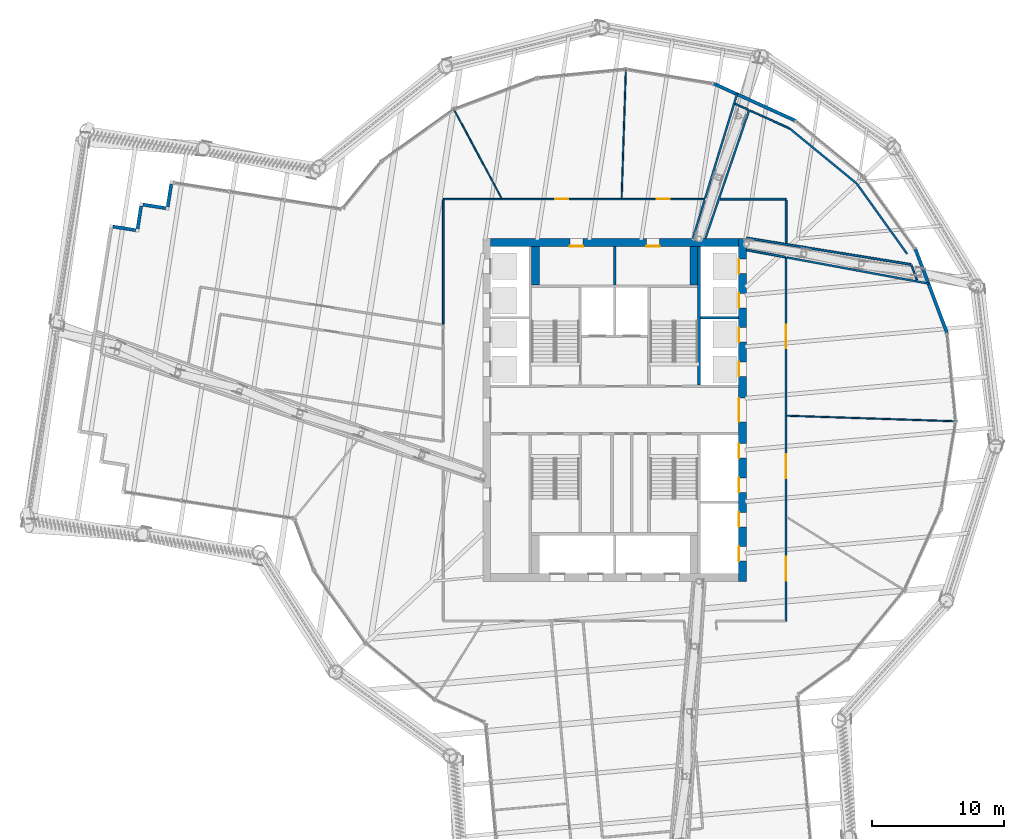
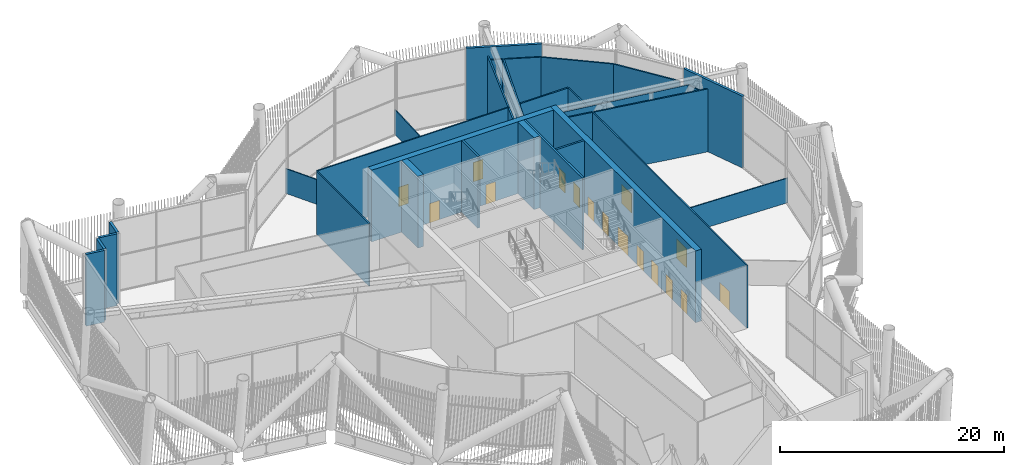
# One storey, part 32 of 55: 32 walls, 16 doors, 16 openings.
"""IFC4 building model written with IfcOpenShell, lengths in metres."""

from ifc_helpers import new_model, si_unit, direction, frame, frame_2d, origin, place, context, subcontext, project, spatial, rectangle, extrude, material, layer, layer_set, type_object, element, fill, save


model = new_model("IFC4")

# Units and contexts
model_context = context("Model", 3, precision=1e-05, world=origin(), true_north=direction((0.0, 1.0)))
body_context = subcontext(model_context, "Body", "Model", "MODEL_VIEW")
ifc_project = project(units=[si_unit("LENGTHUNIT", "METRE"), si_unit("AREAUNIT", "SQUARE_METRE"), si_unit("VOLUMEUNIT", "CUBIC_METRE"), si_unit("PLANEANGLEUNIT", "RADIAN"), si_unit("MASSUNIT", "GRAM", prefix="KILO")], contexts=[model_context])

# Site, building, storey
site_placement = place(None, origin())
site = spatial("IfcSite", under=ifc_project, at=site_placement, CompositionType="ELEMENT")
building_placement = place(site_placement, origin())
building = spatial("IfcBuilding", under=site, at=building_placement, Name="Tarsis Ring Headquarters", CompositionType="ELEMENT")
storey_placement = place(building_placement, frame((0.0, 0.0, 247.199951171875)))
storey = spatial("IfcBuildingStorey", under=building, at=storey_placement, Name="L58", CompositionType="ELEMENT", Elevation=247.199951171875)

# Wall
ifc_material_1 = material(Name="Blockwork", Category="masonry")
ifc_layer_1 = layer(ifc_material_1, 0.199951171875)
ifc_layer_set_1 = layer_set([ifc_layer_1], Name="Core blockwork wall 200")
wall_type_1 = type_object("IfcWallType", Name="Core blockwork wall 200", PredefinedType="PARTITIONING", material=ifc_layer_set_1)
wall_1_placement = place(storey_placement, frame((0.0, 9.5, 0.0), z_axis=(0.0, 0.0, 1.0), x_axis=(0.0, 1.0, 0.0)))
element("IfcWall", 1, at=wall_1_placement, inside=storey, type_object=wall_type_1, Name="Core partition ND2", PredefinedType="PARTITIONING", context=body_context, shape_type="SweptSolid", body=[
    extrude(rectangle(XDim=2.89990234375, YDim=0.199951171875, at=frame_2d((1.449951171875, 0.0))), origin(), (0.0, 0.0, 1.0), 7.840087890625),
])

# Wall, openings, doors
ifc_material_2 = material(Name="Concrete C50/60", Category="concrete")
ifc_layer_2 = layer(ifc_material_2, 0.60009765625)
ifc_layer_set_2 = layer_set([ifc_layer_2], Name="Core wall 600 C50/60")
wall_type_2 = type_object("IfcWallType", Name="Core wall 600 C50/60", PredefinedType="SHEAR", material=ifc_layer_set_2)
wall_2_placement = place(storey_placement, frame((9.699951171875, -13.0, 0.0), z_axis=(0.0, 0.0, 1.0), x_axis=(0.0, 1.0, 0.0)))
wall_2 = element("IfcWall", 2, at=wall_2_placement, inside=storey, type_object=wall_type_2, Name="Core wall OE", PredefinedType="SHEAR", context=body_context, shape_type="SweptSolid", body=[
    extrude(rectangle(XDim=26.0, YDim=0.60009765625, at=frame_2d((13.0, 0.0))), origin(), (0.0, 0.0, 1.0), 7.840087890625),
])
opening_1_placement = place(wall_2_placement, frame((1.550048828125, 0.0, 0.0)))
opening_1 = element("IfcOpeningElement", 3, at=opening_1_placement, cuts=wall_2, Name="Opening LD-MR1", PredefinedType="OPENING", context=body_context, shape_type="SweptSolid", body=[
    extrude(rectangle(XDim=1.10009765625, YDim=2.10009765625, at=frame_2d((0.550048828125, 1.050048828125))), frame((0.0, 0.31005859375, 0.0), z_axis=(0.0, -1.0, 0.0), x_axis=(1.0, 0.0, 0.0)), (0.0, 0.0, 1.0), 0.6201171875),
])
opening_2_placement = place(wall_2_placement, frame((4.14990234375, 0.0, 0.0)))
opening_2 = element("IfcOpeningElement", 4, at=opening_2_placement, cuts=wall_2, Name="Opening LD-MR2", PredefinedType="OPENING", context=body_context, shape_type="SweptSolid", body=[
    extrude(rectangle(XDim=1.10009765625, YDim=2.10009765625, at=frame_2d((0.550048828125, 1.050048828125))), frame((0.0, 0.31005859375, 0.0), z_axis=(0.0, -1.0, 0.0), x_axis=(1.0, 0.0, 0.0)), (0.0, 0.0, 1.0), 0.6201171875),
])
opening_3_placement = place(wall_2_placement, frame((6.75, 0.0, 0.0)))
opening_3 = element("IfcOpeningElement", 5, at=opening_3_placement, cuts=wall_2, Name="Opening LD-MR3", PredefinedType="OPENING", context=body_context, shape_type="SweptSolid", body=[
    extrude(rectangle(XDim=1.10009765625, YDim=2.10009765625, at=frame_2d((0.550048828125, 1.050048828125))), frame((0.0, 0.31005859375, 0.0), z_axis=(0.0, -1.0, 0.0), x_axis=(1.0, 0.0, 0.0)), (0.0, 0.0, 1.0), 0.6201171875),
])
opening_4_placement = place(wall_2_placement, frame((9.35009765625, 0.0, 0.0)))
opening_4 = element("IfcOpeningElement", 6, at=opening_4_placement, cuts=wall_2, Name="Opening LD-MR4", PredefinedType="OPENING", context=body_context, shape_type="SweptSolid", body=[
    extrude(rectangle(XDim=1.10009765625, YDim=2.10009765625, at=frame_2d((0.550048828125, 1.050048828125))), frame((0.0, 0.31005859375, 0.0), z_axis=(0.0, -1.0, 0.0), x_axis=(1.0, 0.0, 0.0)), (0.0, 0.0, 1.0), 0.6201171875),
])
opening_5_placement = place(wall_2_placement, frame((12.10009765625, 0.0, 0.0)))
opening_5 = element("IfcOpeningElement", 7, at=opening_5_placement, cuts=wall_2, Name="Opening L58-C11", PredefinedType="OPENING", context=body_context, shape_type="SweptSolid", body=[
    extrude(rectangle(XDim=1.800048828125, YDim=2.10009765625, at=frame_2d((0.89990234375, 1.050048828125))), frame((0.0, 0.31005859375, 0.0), z_axis=(0.0, -1.0, 0.0), x_axis=(1.0, 0.0, 0.0)), (0.0, 0.0, 1.0), 0.6201171875),
])
opening_6_placement = place(wall_2_placement, frame((15.550048828125, 0.0, 0.0)))
opening_6 = element("IfcOpeningElement", 8, at=opening_6_placement, cuts=wall_2, Name="Opening LD-HR5", PredefinedType="OPENING", context=body_context, shape_type="SweptSolid", body=[
    extrude(rectangle(XDim=1.10009765625, YDim=2.10009765625, at=frame_2d((0.550048828125, 1.050048828125))), frame((0.0, 0.31005859375, 0.0), z_axis=(0.0, -1.0, 0.0), x_axis=(1.0, 0.0, 0.0)), (0.0, 0.0, 1.0), 0.6201171875),
])
opening_7_placement = place(wall_2_placement, frame((18.14990234375, 0.0, 0.0)))
opening_7 = element("IfcOpeningElement", 9, at=opening_7_placement, cuts=wall_2, Name="Opening LD-HR6", PredefinedType="OPENING", context=body_context, shape_type="SweptSolid", body=[
    extrude(rectangle(XDim=1.10009765625, YDim=2.10009765625, at=frame_2d((0.550048828125, 1.050048828125))), frame((0.0, 0.31005859375, 0.0), z_axis=(0.0, -1.0, 0.0), x_axis=(1.0, 0.0, 0.0)), (0.0, 0.0, 1.0), 0.6201171875),
])
opening_8_placement = place(wall_2_placement, frame((20.75, 0.0, 0.0)))
opening_8 = element("IfcOpeningElement", 10, at=opening_8_placement, cuts=wall_2, Name="Opening LD-HR7", PredefinedType="OPENING", context=body_context, shape_type="SweptSolid", body=[
    extrude(rectangle(XDim=1.10009765625, YDim=2.10009765625, at=frame_2d((0.550048828125, 1.050048828125))), frame((0.0, 0.31005859375, 0.0), z_axis=(0.0, -1.0, 0.0), x_axis=(1.0, 0.0, 0.0)), (0.0, 0.0, 1.0), 0.6201171875),
])
opening_9_placement = place(wall_2_placement, frame((23.35009765625, 0.0, 0.0)))
opening_9 = element("IfcOpeningElement", 11, at=opening_9_placement, cuts=wall_2, Name="Opening LD-HR8", PredefinedType="OPENING", context=body_context, shape_type="SweptSolid", body=[
    extrude(rectangle(XDim=1.10009765625, YDim=2.10009765625, at=frame_2d((0.550048828125, 1.050048828125))), frame((0.0, 0.31005859375, 0.0), z_axis=(0.0, -1.0, 0.0), x_axis=(1.0, 0.0, 0.0)), (0.0, 0.0, 1.0), 0.6201171875),
])
ifc_material_3 = material(Name="Steel S355", Category="steel")
door_type_1 = type_object("IfcDoorType", Name="Core entry door 1800x2100", OperationType="DOUBLE_DOOR_SINGLE_SWING", PredefinedType="DOOR", material=ifc_material_3)
door_1_placement = place(opening_5_placement, origin())
door_1 = element("IfcDoor", 12, at=door_1_placement, inside=storey, type_object=door_type_1, Name="Core entry door L58", OperationType="DOUBLE_DOOR_SINGLE_SWING", OverallHeight=2.10009765625, OverallWidth=1.800048828125, PredefinedType="DOOR", context=body_context, shape_type="SweptSolid", body=[
    extrude(rectangle(XDim=1.800048828125, YDim=2.10009765625, at=frame_2d((0.89990234375, 1.050048828125))), frame((0.0, 0.2998046875, 0.0), z_axis=(0.0, -1.0, 0.0), x_axis=(1.0, 0.0, 0.0)), (0.0, 0.0, 1.0), 0.050048828125),
])
fill(opening_5, door_1)
door_type_2 = type_object("IfcDoorType", Name="Landing door 1100x2100", OperationType="SLIDING_TO_LEFT", PredefinedType="DOOR", material=ifc_material_3)
door_2_placement = place(opening_1_placement, origin())
door_2 = element("IfcDoor", 13, at=door_2_placement, inside=storey, type_object=door_type_2, Name="Landing door MR1 L58", OperationType="SLIDING_TO_LEFT", OverallHeight=2.10009765625, OverallWidth=1.10009765625, PredefinedType="DOOR", context=body_context, shape_type="SweptSolid", body=[
    extrude(rectangle(XDim=1.10009765625, YDim=2.10009765625, at=frame_2d((0.550048828125, 1.050048828125))), frame((0.0, 0.2998046875, 0.0), z_axis=(0.0, -1.0, 0.0), x_axis=(1.0, 0.0, 0.0)), (0.0, 0.0, 1.0), 0.050048828125),
])
fill(opening_1, door_2)
door_3_placement = place(opening_2_placement, origin())
door_3 = element("IfcDoor", 14, at=door_3_placement, inside=storey, type_object=door_type_2, Name="Landing door MR2 L58", OperationType="SLIDING_TO_LEFT", OverallHeight=2.10009765625, OverallWidth=1.10009765625, PredefinedType="DOOR", context=body_context, shape_type="SweptSolid", body=[
    extrude(rectangle(XDim=1.10009765625, YDim=2.10009765625, at=frame_2d((0.550048828125, 1.050048828125))), frame((0.0, 0.2998046875, 0.0), z_axis=(0.0, -1.0, 0.0), x_axis=(1.0, 0.0, 0.0)), (0.0, 0.0, 1.0), 0.050048828125),
])
fill(opening_2, door_3)
door_4_placement = place(opening_3_placement, origin())
door_4 = element("IfcDoor", 15, at=door_4_placement, inside=storey, type_object=door_type_2, Name="Landing door MR3 L58", OperationType="SLIDING_TO_LEFT", OverallHeight=2.10009765625, OverallWidth=1.10009765625, PredefinedType="DOOR", context=body_context, shape_type="SweptSolid", body=[
    extrude(rectangle(XDim=1.10009765625, YDim=2.10009765625, at=frame_2d((0.550048828125, 1.050048828125))), frame((0.0, 0.2998046875, 0.0), z_axis=(0.0, -1.0, 0.0), x_axis=(1.0, 0.0, 0.0)), (0.0, 0.0, 1.0), 0.050048828125),
])
fill(opening_3, door_4)
door_5_placement = place(opening_4_placement, origin())
door_5 = element("IfcDoor", 16, at=door_5_placement, inside=storey, type_object=door_type_2, Name="Landing door MR4 L58", OperationType="SLIDING_TO_LEFT", OverallHeight=2.10009765625, OverallWidth=1.10009765625, PredefinedType="DOOR", context=body_context, shape_type="SweptSolid", body=[
    extrude(rectangle(XDim=1.10009765625, YDim=2.10009765625, at=frame_2d((0.550048828125, 1.050048828125))), frame((0.0, 0.2998046875, 0.0), z_axis=(0.0, -1.0, 0.0), x_axis=(1.0, 0.0, 0.0)), (0.0, 0.0, 1.0), 0.050048828125),
])
fill(opening_4, door_5)
door_6_placement = place(opening_6_placement, origin())
door_6 = element("IfcDoor", 17, at=door_6_placement, inside=storey, type_object=door_type_2, Name="Landing door HR5 L58", OperationType="SLIDING_TO_LEFT", OverallHeight=2.10009765625, OverallWidth=1.10009765625, PredefinedType="DOOR", context=body_context, shape_type="SweptSolid", body=[
    extrude(rectangle(XDim=1.10009765625, YDim=2.10009765625, at=frame_2d((0.550048828125, 1.050048828125))), frame((0.0, 0.2998046875, 0.0), z_axis=(0.0, -1.0, 0.0), x_axis=(1.0, 0.0, 0.0)), (0.0, 0.0, 1.0), 0.050048828125),
])
fill(opening_6, door_6)
door_7_placement = place(opening_7_placement, origin())
door_7 = element("IfcDoor", 18, at=door_7_placement, inside=storey, type_object=door_type_2, Name="Landing door HR6 L58", OperationType="SLIDING_TO_LEFT", OverallHeight=2.10009765625, OverallWidth=1.10009765625, PredefinedType="DOOR", context=body_context, shape_type="SweptSolid", body=[
    extrude(rectangle(XDim=1.10009765625, YDim=2.10009765625, at=frame_2d((0.550048828125, 1.050048828125))), frame((0.0, 0.2998046875, 0.0), z_axis=(0.0, -1.0, 0.0), x_axis=(1.0, 0.0, 0.0)), (0.0, 0.0, 1.0), 0.050048828125),
])
fill(opening_7, door_7)
door_8_placement = place(opening_8_placement, origin())
door_8 = element("IfcDoor", 19, at=door_8_placement, inside=storey, type_object=door_type_2, Name="Landing door HR7 L58", OperationType="SLIDING_TO_LEFT", OverallHeight=2.10009765625, OverallWidth=1.10009765625, PredefinedType="DOOR", context=body_context, shape_type="SweptSolid", body=[
    extrude(rectangle(XDim=1.10009765625, YDim=2.10009765625, at=frame_2d((0.550048828125, 1.050048828125))), frame((0.0, 0.2998046875, 0.0), z_axis=(0.0, -1.0, 0.0), x_axis=(1.0, 0.0, 0.0)), (0.0, 0.0, 1.0), 0.050048828125),
])
fill(opening_8, door_8)
door_9_placement = place(opening_9_placement, origin())
door_9 = element("IfcDoor", 20, at=door_9_placement, inside=storey, type_object=door_type_2, Name="Landing door HR8 L58", OperationType="SLIDING_TO_LEFT", OverallHeight=2.10009765625, OverallWidth=1.10009765625, PredefinedType="DOOR", context=body_context, shape_type="SweptSolid", body=[
    extrude(rectangle(XDim=1.10009765625, YDim=2.10009765625, at=frame_2d((0.550048828125, 1.050048828125))), frame((0.0, 0.2998046875, 0.0), z_axis=(0.0, -1.0, 0.0), x_axis=(1.0, 0.0, 0.0)), (0.0, 0.0, 1.0), 0.050048828125),
])
fill(opening_9, door_9)

wall_3_placement = place(storey_placement, frame((-9.39990234375, 12.699951171875, 0.0), z_axis=(0.0, 0.0, 1.0), x_axis=(1.0, 0.0, 0.0)))
wall_3 = element("IfcWall", 21, at=wall_3_placement, inside=storey, type_object=wall_type_2, Name="Core wall ON", PredefinedType="SHEAR", context=body_context, shape_type="SweptSolid", body=[
    extrude(rectangle(XDim=18.7998046875, YDim=0.60009765625, at=frame_2d((9.39990234375, 0.0))), origin(), (0.0, 0.0, 1.0), 7.840087890625),
])
opening_10_placement = place(wall_3_placement, frame((6.0, 0.0, 0.0)))
opening_10 = element("IfcOpeningElement", 22, at=opening_10_placement, cuts=wall_3, Name="Opening L58-C16", PredefinedType="OPENING", context=body_context, shape_type="SweptSolid", body=[
    extrude(rectangle(XDim=1.0, YDim=2.10009765625, at=frame_2d((0.5, 1.050048828125))), frame((0.0, 0.31005859375, 0.0), z_axis=(0.0, -1.0, 0.0), x_axis=(1.0, 0.0, 0.0)), (0.0, 0.0, 1.0), 0.6201171875),
])
opening_11_placement = place(wall_3_placement, frame((11.800048828125, 0.0, 0.0)))
opening_11 = element("IfcOpeningElement", 23, at=opening_11_placement, cuts=wall_3, Name="Opening L58-C17", PredefinedType="OPENING", context=body_context, shape_type="SweptSolid", body=[
    extrude(rectangle(XDim=1.0, YDim=2.10009765625, at=frame_2d((0.5, 1.050048828125))), frame((0.0, 0.31005859375, 0.0), z_axis=(0.0, -1.0, 0.0), x_axis=(1.0, 0.0, 0.0)), (0.0, 0.0, 1.0), 0.6201171875),
])
door_type_3 = type_object("IfcDoorType", Name="Core room door 1000x2100", OperationType="SINGLE_SWING_LEFT", PredefinedType="DOOR", material=ifc_material_3)
door_10_placement = place(opening_10_placement, origin())
door_10 = element("IfcDoor", 24, at=door_10_placement, inside=storey, type_object=door_type_3, Name="Core room door L58", OperationType="SINGLE_SWING_LEFT", OverallHeight=2.10009765625, OverallWidth=1.0, PredefinedType="DOOR", context=body_context, shape_type="SweptSolid", body=[
    extrude(rectangle(XDim=1.0, YDim=2.10009765625, at=frame_2d((0.5, 1.050048828125))), frame((0.0, -0.25, 0.0), z_axis=(0.0, -1.0, 0.0), x_axis=(1.0, 0.0, 0.0)), (0.0, 0.0, 1.0), 0.050048828125),
])
fill(opening_10, door_10)
door_11_placement = place(opening_11_placement, origin())
door_11 = element("IfcDoor", 25, at=door_11_placement, inside=storey, type_object=door_type_3, Name="Core room door L58", OperationType="SINGLE_SWING_LEFT", OverallHeight=2.10009765625, OverallWidth=1.0, PredefinedType="DOOR", context=body_context, shape_type="SweptSolid", body=[
    extrude(rectangle(XDim=1.0, YDim=2.10009765625, at=frame_2d((0.5, 1.050048828125))), frame((0.0, -0.25, 0.0), z_axis=(0.0, -1.0, 0.0), x_axis=(1.0, 0.0, 0.0)), (0.0, 0.0, 1.0), 0.050048828125),
])
fill(opening_11, door_11)

# Walls
ifc_material_4 = material(Name="Gypsum board on steel studs", Category="steel")
ifc_layer_3 = layer(ifc_material_4, 0.10009765625)
ifc_layer_set_3 = layer_set([ifc_layer_3], Name="FL partition 100 unrated")
wall_type_3 = type_object("IfcWallType", Name="FL partition 100 unrated", PredefinedType="PARTITIONING", material=ifc_layer_set_3)
wall_4_placement = place(storey_placement, frame((13.070068359375, -0.428955078125, 0.0), z_axis=(0.0, 0.0, 1.0), x_axis=(0.999461414266, -0.03281587107, 0.0)))
element("IfcWall", 26, at=wall_4_placement, inside=storey, type_object=wall_type_3, Name="Partition PW3", PredefinedType="PARTITIONING", context=body_context, shape_type="SweptSolid", body=[
    extrude(rectangle(XDim=12.87060546875, YDim=0.10009765625, at=frame_2d((6.435302734375, 0.0))), origin(), (0.0, 0.0, 1.0), 2.699951171875),
])
wall_5_placement = place(storey_placement, frame((0.527587890625, 16.070068359375, 0.0), z_axis=(0.0, 0.0, 1.0), x_axis=(0.03280249536, 0.999461853348, 0.0)))
element("IfcWall", 27, at=wall_5_placement, inside=storey, type_object=wall_type_3, Name="Partition PW3", PredefinedType="PARTITIONING", context=body_context, shape_type="SweptSolid", body=[
    extrude(rectangle(XDim=9.869140625, YDim=0.10009765625, at=frame_2d((4.9345703125, 0.0))), origin(), (0.0, 0.0, 1.0), 2.699951171875),
])
wall_6_placement = place(storey_placement, frame((-12.229736328125, 22.885009765625, 0.0), z_axis=(0.0, 0.0, 1.0), x_axis=(0.471322112809, -0.881961147658, 0.0)))
element("IfcWall", 28, at=wall_6_placement, inside=storey, type_object=wall_type_3, Name="Partition PW3", PredefinedType="PARTITIONING", context=body_context, shape_type="SweptSolid", body=[
    extrude(rectangle(XDim=7.716552734375, YDim=0.10009765625, at=frame_2d((3.8583984375, 0.0))), origin(), (0.0, 0.0, 1.0), 2.699951171875),
])

# Wall, openings, doors
ifc_layer_4 = layer(ifc_material_4, 0.125)
ifc_layer_set_4 = layer_set([ifc_layer_4], Name="FL partition 125 EI 60 H6870")
wall_type_4 = type_object("IfcWallType", Name="FL partition 125 EI 60 H6870", PredefinedType="PARTITIONING", material=ifc_layer_set_4)
wall_7_placement = place(storey_placement, frame((13.0, -15.998046875, 0.0), z_axis=(0.0, 0.0, 1.0), x_axis=(0.0, 1.0, 0.0)))
wall_7 = element("IfcWall", 29, at=wall_7_placement, inside=storey, type_object=wall_type_4, Name="Partition PW1H687", PredefinedType="PARTITIONING", context=body_context, shape_type="SweptSolid", body=[
    extrude(rectangle(XDim=27.5859375, YDim=0.125, at=frame_2d((13.79296875, 0.0))), origin(), (0.0, 0.0, 1.0), 6.8701171875),
])
opening_12_placement = place(wall_7_placement, frame((20.678466796875, 0.0, 0.0)))
opening_12 = element("IfcOpeningElement", 30, at=opening_12_placement, cuts=wall_7, Name="Opening D58.07", PredefinedType="OPENING", context=body_context, shape_type="SweptSolid", body=[
    extrude(rectangle(XDim=1.800048828125, YDim=2.10009765625, at=frame_2d((0.89990234375, 1.050048828125))), frame((0.0, 0.072509765625, 0.0), z_axis=(0.0, -1.0, 0.0), x_axis=(1.0, 0.0, 0.0)), (0.0, 0.0, 1.0), 0.14501953125),
])
opening_13_placement = place(wall_7_placement, frame((10.841796875, 0.0, 0.0)))
opening_13 = element("IfcOpeningElement", 31, at=opening_13_placement, cuts=wall_7, Name="Opening D58.08", PredefinedType="OPENING", context=body_context, shape_type="SweptSolid", body=[
    extrude(rectangle(XDim=1.800048828125, YDim=2.10009765625, at=frame_2d((0.89990234375, 1.050048828125))), frame((0.0, 0.072509765625, 0.0), z_axis=(0.0, -1.0, 0.0), x_axis=(1.0, 0.0, 0.0)), (0.0, 0.0, 1.0), 0.14501953125),
])
opening_14_placement = place(wall_7_placement, frame((3.05615234375, 0.0, 0.0)))
opening_14 = element("IfcOpeningElement", 32, at=opening_14_placement, cuts=wall_7, Name="Opening D58.09", PredefinedType="OPENING", context=body_context, shape_type="SweptSolid", body=[
    extrude(rectangle(XDim=1.800048828125, YDim=2.10009765625, at=frame_2d((0.89990234375, 1.050048828125))), frame((0.0, 0.072509765625, 0.0), z_axis=(0.0, -1.0, 0.0), x_axis=(1.0, 0.0, 0.0)), (0.0, 0.0, 1.0), 0.14501953125),
])
ifc_material_5 = material(Name="Fire-rated timber door leaf in steel frame", Category="steel")
door_type_4 = type_object("IfcDoorType", Name="FL door FD60-1800", OperationType="DOUBLE_DOOR_SINGLE_SWING", PredefinedType="DOOR", material=ifc_material_5)
door_12_placement = place(opening_12_placement, origin())
door_12 = element("IfcDoor", 33, at=door_12_placement, inside=storey, type_object=door_type_4, Name="Door D58.07", OperationType="DOUBLE_DOOR_SINGLE_SWING", OverallHeight=2.10009765625, OverallWidth=1.800048828125, PredefinedType="DOOR", context=body_context, shape_type="SweptSolid", body=[
    extrude(rectangle(XDim=1.800048828125, YDim=2.10009765625, at=frame_2d((0.89990234375, 1.050048828125))), frame((0.0, 0.02490234375, 0.0), z_axis=(0.0, -1.0, 0.0), x_axis=(1.0, 0.0, 0.0)), (0.0, 0.0, 1.0), 0.050048828125),
])
fill(opening_12, door_12)
door_13_placement = place(opening_13_placement, origin())
door_13 = element("IfcDoor", 34, at=door_13_placement, inside=storey, type_object=door_type_4, Name="Door D58.08", OperationType="DOUBLE_DOOR_SINGLE_SWING", OverallHeight=2.10009765625, OverallWidth=1.800048828125, PredefinedType="DOOR", context=body_context, shape_type="SweptSolid", body=[
    extrude(rectangle(XDim=1.800048828125, YDim=2.10009765625, at=frame_2d((0.89990234375, 1.050048828125))), frame((0.0, 0.02490234375, 0.0), z_axis=(0.0, -1.0, 0.0), x_axis=(1.0, 0.0, 0.0)), (0.0, 0.0, 1.0), 0.050048828125),
])
fill(opening_13, door_13)
door_14_placement = place(opening_14_placement, origin())
door_14 = element("IfcDoor", 35, at=door_14_placement, inside=storey, type_object=door_type_4, Name="Door D58.09", OperationType="DOUBLE_DOOR_SINGLE_SWING", OverallHeight=2.10009765625, OverallWidth=1.800048828125, PredefinedType="DOOR", context=body_context, shape_type="SweptSolid", body=[
    extrude(rectangle(XDim=1.800048828125, YDim=2.10009765625, at=frame_2d((0.89990234375, 1.050048828125))), frame((0.0, 0.02490234375, 0.0), z_axis=(0.0, -1.0, 0.0), x_axis=(1.0, 0.0, 0.0)), (0.0, 0.0, 1.0), 0.050048828125),
])
fill(opening_14, door_14)

wall_8_placement = place(storey_placement, frame((-12.998046875, 16.0, 0.0), z_axis=(0.0, 0.0, 1.0), x_axis=(1.0, 0.0, 0.0)))
wall_8 = element("IfcWall", 36, at=wall_8_placement, inside=storey, type_object=wall_type_4, Name="Partition PW1H687", PredefinedType="PARTITIONING", context=body_context, shape_type="SweptSolid", body=[
    extrude(rectangle(XDim=19.845703125, YDim=0.125, at=frame_2d((9.9228515625, 0.0))), origin(), (0.0, 0.0, 1.0), 6.8701171875),
])
opening_15_placement = place(wall_8_placement, frame((8.4853515625, 0.0, 0.0)))
opening_15 = element("IfcOpeningElement", 37, at=opening_15_placement, cuts=wall_8, Name="Opening D58.05", PredefinedType="OPENING", context=body_context, shape_type="SweptSolid", body=[
    extrude(rectangle(XDim=1.0, YDim=2.10009765625, at=frame_2d((0.5, 1.050048828125))), frame((0.0, 0.072509765625, 0.0), z_axis=(0.0, -1.0, 0.0), x_axis=(1.0, 0.0, 0.0)), (0.0, 0.0, 1.0), 0.14501953125),
])
opening_16_placement = place(wall_8_placement, frame((16.184326171875, 0.0, 0.0)))
opening_16 = element("IfcOpeningElement", 38, at=opening_16_placement, cuts=wall_8, Name="Opening D58.06", PredefinedType="OPENING", context=body_context, shape_type="SweptSolid", body=[
    extrude(rectangle(XDim=1.0, YDim=2.10009765625, at=frame_2d((0.5, 1.050048828125))), frame((0.0, 0.072509765625, 0.0), z_axis=(0.0, -1.0, 0.0), x_axis=(1.0, 0.0, 0.0)), (0.0, 0.0, 1.0), 0.14501953125),
])
door_type_5 = type_object("IfcDoorType", Name="FL door FD60-1000", OperationType="NOTDEFINED", PredefinedType="DOOR", material=ifc_material_5)
door_15_placement = place(opening_15_placement, origin())
door_15 = element("IfcDoor", 39, at=door_15_placement, inside=storey, type_object=door_type_5, Name="Door D58.05", OperationType="SINGLE_SWING_LEFT", OverallHeight=2.10009765625, OverallWidth=1.0, PredefinedType="DOOR", context=body_context, shape_type="SweptSolid", body=[
    extrude(rectangle(XDim=1.0, YDim=2.10009765625, at=frame_2d((0.5, 1.050048828125))), frame((0.0, 0.02490234375, 0.0), z_axis=(0.0, -1.0, 0.0), x_axis=(1.0, 0.0, 0.0)), (0.0, 0.0, 1.0), 0.050048828125),
])
fill(opening_15, door_15)
door_16_placement = place(opening_16_placement, origin())
door_16 = element("IfcDoor", 40, at=door_16_placement, inside=storey, type_object=door_type_5, Name="Door D58.06", OperationType="SINGLE_SWING_RIGHT", OverallHeight=2.10009765625, OverallWidth=1.0, PredefinedType="DOOR", context=body_context, shape_type="SweptSolid", body=[
    extrude(rectangle(XDim=1.0, YDim=2.10009765625, at=frame_2d((0.5, 1.050048828125))), frame((0.0, 0.02490234375, 0.0), z_axis=(0.0, -1.0, 0.0), x_axis=(1.0, 0.0, 0.0)), (0.0, 0.0, 1.0), 0.050048828125),
])
fill(opening_16, door_16)

# Walls
wall_9_placement = place(storey_placement, frame((-13.0, 6.527099609375, 0.0), z_axis=(0.0, 0.0, 1.0), x_axis=(0.0, 1.0, 0.0)))
element("IfcWall", 41, at=wall_9_placement, inside=storey, type_object=wall_type_4, Name="Partition PW1H687", PredefinedType="PARTITIONING", context=body_context, shape_type="SweptSolid", body=[
    extrude(rectangle(XDim=9.410888671875, YDim=0.125, at=frame_2d((4.70556640625, 0.0))), origin(), (0.0, 0.0, 1.0), 6.8701171875),
])
wall_10_placement = place(storey_placement, frame((9.14306640625, 23.22705078125, 0.0), z_axis=(0.0, 0.0, 1.0), x_axis=(0.910828138372, -0.412785782641, 0.0)))
element("IfcWall", 42, at=wall_10_placement, inside=storey, type_object=wall_type_4, Name="Partition PW1H687", PredefinedType="PARTITIONING", context=body_context, shape_type="SweptSolid", body=[
    extrude(rectangle(XDim=1.085205078125, YDim=0.125, at=frame_2d((0.54248046875, 0.0))), origin(), (0.0, 0.0, 1.0), 6.8701171875),
])
wall_11_placement = place(storey_placement, frame((10.2734375, 22.714599609375, 0.0), z_axis=(0.0, 0.0, 1.0), x_axis=(0.910853681838, -0.412729415335, 0.0)))
element("IfcWall", 43, at=wall_11_placement, inside=storey, type_object=wall_type_4, Name="Partition PW1H687", PredefinedType="PARTITIONING", context=body_context, shape_type="SweptSolid", body=[
    extrude(rectangle(XDim=3.290771484375, YDim=0.125, at=frame_2d((1.6455078125, 0.0))), origin(), (0.0, 0.0, 1.0), 6.8701171875),
])
wall_12_placement = place(storey_placement, frame((22.501220703125, 10.989990234375, 0.0), z_axis=(0.0, 0.0, 1.0), x_axis=(0.352229862995, -0.935913523577, 0.0)))
element("IfcWall", 44, at=wall_12_placement, inside=storey, type_object=wall_type_4, Name="Partition PW1H687", PredefinedType="PARTITIONING", context=body_context, shape_type="SweptSolid", body=[
    extrude(rectangle(XDim=1.208740234375, YDim=0.125, at=frame_2d((0.6044921875, 0.0))), origin(), (0.0, 0.0, 1.0), 6.8701171875),
])
ifc_layer_5 = layer(ifc_material_4, 0.14990234375)
ifc_layer_set_5 = layer_set([ifc_layer_5], Name="FL partition 150 EI 120 H6870")
wall_type_5 = type_object("IfcWallType", Name="FL partition 150 EI 120 H6870", PredefinedType="PARTITIONING", material=ifc_layer_set_5)
wall_13_placement = place(storey_placement, frame((10.00048828125, 12.14453125, 0.0), z_axis=(0.0, 0.0, 1.0), x_axis=(0.983349637254, -0.181723666353, 0.0)))
element("IfcWall", 45, at=wall_13_placement, inside=storey, type_object=wall_type_5, Name="Partition PW2H687", PredefinedType="PARTITIONING", context=body_context, shape_type="SweptSolid", body=[
    extrude(rectangle(XDim=2.9892578125, YDim=0.14990234375, at=frame_2d((1.49462890625, 0.0))), origin(), (0.0, 0.0, 1.0), 6.8701171875),
])
wall_14_placement = place(storey_placement, frame((13.076171875, 11.575927734375, 0.0), z_axis=(0.0, 0.0, 1.0), x_axis=(0.983342813799, -0.1817605858, 0.0)))
element("IfcWall", 46, at=wall_14_placement, inside=storey, type_object=wall_type_5, Name="Partition PW2H687", PredefinedType="PARTITIONING", context=body_context, shape_type="SweptSolid", body=[
    extrude(rectangle(XDim=10.959228515625, YDim=0.14990234375, at=frame_2d((5.4794921875, 0.0))), origin(), (0.0, 0.0, 1.0), 6.8701171875),
])
wall_15_placement = place(storey_placement, frame((10.0, 13.054931640625, 0.0), z_axis=(0.0, 0.0, 1.0), x_axis=(0.987257963107, -0.159127980827, 0.0)))
element("IfcWall", 47, at=wall_15_placement, inside=storey, type_object=wall_type_5, Name="Partition PW2H687", PredefinedType="PARTITIONING", context=body_context, shape_type="SweptSolid", body=[
    extrude(rectangle(XDim=12.63916015625, YDim=0.14990234375, at=frame_2d((6.319580078125, 0.0))), origin(), (0.0, 0.0, 1.0), 6.8701171875),
])
wall_16_placement = place(storey_placement, frame((5.9248046875, 13.00146484375, 0.0), z_axis=(0.0, 0.0, 1.0), x_axis=(0.2926499925, 0.956219630571, 0.0)))
element("IfcWall", 48, at=wall_16_placement, inside=storey, type_object=wall_type_5, Name="Partition PW2H687", PredefinedType="PARTITIONING", context=body_context, shape_type="SweptSolid", body=[
    extrude(rectangle(XDim=3.04736328125, YDim=0.14990234375, at=frame_2d((1.523681640625, 0.0))), origin(), (0.0, 0.0, 1.0), 6.8701171875),
])
wall_17_placement = place(storey_placement, frame((6.8603515625, 16.05859375, 0.0), z_axis=(0.0, 0.0, 1.0), x_axis=(0.292688038759, 0.956207985727, 0.0)))
element("IfcWall", 49, at=wall_17_placement, inside=storey, type_object=wall_type_5, Name="Partition PW2H687", PredefinedType="PARTITIONING", context=body_context, shape_type="SweptSolid", body=[
    extrude(rectangle(XDim=8.33544921875, YDim=0.14990234375, at=frame_2d((4.167724609375, 0.0))), origin(), (0.0, 0.0, 1.0), 6.8701171875),
])
wall_18_placement = place(storey_placement, frame((6.87451171875, 13.000244140625, 0.0), z_axis=(0.0, 0.0, 1.0), x_axis=(0.322806681016, 0.946464921004, 0.0)))
element("IfcWall", 50, at=wall_18_placement, inside=storey, type_object=wall_type_5, Name="Partition PW2H687", PredefinedType="PARTITIONING", context=body_context, shape_type="SweptSolid", body=[
    extrude(rectangle(XDim=10.297119140625, YDim=0.14990234375, at=frame_2d((5.1484375, 0.0))), origin(), (0.0, 0.0, 1.0), 6.8701171875),
])
wall_19_placement = place(storey_placement, frame((18.354248046875, 17.18701171875, 0.0), z_axis=(0.0, 0.0, 1.0), x_axis=(0.582437430448, -0.81287553759, 0.0)))
element("IfcWall", 51, at=wall_19_placement, inside=storey, type_object=wall_type_5, Name="Partition PW2H687", PredefinedType="PARTITIONING", context=body_context, shape_type="SweptSolid", body=[
    extrude(rectangle(XDim=6.5634765625, YDim=0.14990234375, at=frame_2d((3.28173828125, 0.0))), origin(), (0.0, 0.0, 1.0), 6.8701171875),
])
wall_20_placement = place(storey_placement, frame((13.280517578125, 21.351806640625, 0.0), z_axis=(0.0, 0.0, 1.0), x_axis=(0.772963746225, -0.634450192704, 0.0)))
element("IfcWall", 52, at=wall_20_placement, inside=storey, type_object=wall_type_5, Name="Partition PW2H687", PredefinedType="PARTITIONING", context=body_context, shape_type="SweptSolid", body=[
    extrude(rectangle(XDim=6.55322265625, YDim=0.14990234375, at=frame_2d((3.276611328125, 0.0))), origin(), (0.0, 0.0, 1.0), 6.8701171875),
])
wall_21_placement = place(storey_placement, frame((7.998779296875, 16.0, 0.0), z_axis=(0.0, 0.0, 1.0), x_axis=(1.0, 0.0, 0.0)))
element("IfcWall", 53, at=wall_21_placement, inside=storey, type_object=wall_type_5, Name="Partition PW2H687", PredefinedType="PARTITIONING", context=body_context, shape_type="SweptSolid", body=[
    extrude(rectangle(XDim=5.001220703125, YDim=0.14990234375, at=frame_2d((2.50048828125, 0.0))), origin(), (0.0, 0.0, 1.0), 6.8701171875),
])
wall_22_placement = place(storey_placement, frame((13.0, 12.652099609375, 0.0), z_axis=(0.0, 0.0, 1.0), x_axis=(0.0, 1.0, 0.0)))
element("IfcWall", 54, at=wall_22_placement, inside=storey, type_object=wall_type_5, Name="Partition PW2H687", PredefinedType="PARTITIONING", context=body_context, shape_type="SweptSolid", body=[
    extrude(rectangle(XDim=3.267822265625, YDim=0.14990234375, at=frame_2d((1.6337890625, 0.0))), origin(), (0.0, 0.0, 1.0), 6.8701171875),
])
ifc_material_6 = material(Name="Terracotta clad insulated panel wall", Category="masonry")
ifc_layer_6 = layer(ifc_material_6, 0.25)
ifc_layer_set_6 = layer_set([ifc_layer_6], Name="Facade wall terracotta panel 250")
wall_type_6 = type_object("IfcWallType", Name="Facade wall terracotta panel 250", PredefinedType="STANDARD", material=ifc_layer_set_6)
for number, where, z_axis, x_axis, name in (
    (55, (25.20849609375, 5.846435546875, 0.0), (0.0, 0.0, 1.0), (-0.352148412744, 0.935944173229, 0.0), "External wall L58-22"),
    (56, (13.691162109375, 21.959228515625, 0.0), (0.0, 0.0, 1.0), (-0.910823768399, 0.412795425022, 0.0), "External wall L58-25"),
):
    element("IfcWall", number, at=place(storey_placement, frame(where, z_axis=z_axis, x_axis=x_axis)), inside=storey, type_object=wall_type_6, Name=name, PredefinedType="STANDARD", context=body_context, shape_type="SweptSolid", body=[
        extrude(rectangle(XDim=6.8115234375, YDim=0.25, at=frame_2d((3.40576171875, 0.0))), origin(), (0.0, 0.0, 1.0), 7.840087890625),
    ])
for number, where, z_axis, x_axis, name in (
    (57, (-33.631103515625, 17.14697265625, 0.0), (0.0, 0.0, 1.0), (-0.154436460575, -0.988002722489, 0.0), "External wall L58-32"),
    (58, (-34.044189453125, 15.313720703125, 0.0), (0.0, 0.0, 1.0), (-0.988002722489, 0.154436460575, 0.0), "External wall L58-33"),
    (59, (-35.916015625, 15.479736328125, 0.0), (0.0, 0.0, 1.0), (-0.154300274554, -0.988024000353, 0.0), "External wall L58-34"),
    (60, (-36.328857421875, 13.646484375, 0.0), (0.0, 0.0, 1.0), (-0.988002722489, 0.154436460575, 0.0), "External wall L58-35"),
):
    element("IfcWall", number, at=place(storey_placement, frame(where, z_axis=z_axis, x_axis=x_axis)), inside=storey, type_object=wall_type_6, Name=name, PredefinedType="STANDARD", context=body_context, shape_type="SweptSolid", body=[
        extrude(rectangle(XDim=1.75, YDim=0.25, at=frame_2d((0.875, 0.0))), origin(), (0.0, 0.0, 1.0), 7.840087890625),
    ])
ifc_material_7 = material(Name="Concrete C32/40", Category="concrete")
ifc_layer_7 = layer(ifc_material_7, 0.60009765625)
ifc_layer_set_7 = layer_set([ifc_layer_7], Name="Shaft end wall 600 C32/40")
wall_type_7 = type_object("IfcWallType", Name="Shaft end wall 600 C32/40", PredefinedType="SOLIDWALL", material=ifc_layer_set_7)
for number, where, z_axis, x_axis, name in (
    (61, (-6.0, 9.5, 0.0), (0.0, 0.0, 1.0), (0.0, 1.0, 0.0), "Core shaft wall NNE1"),
    (62, (6.0, 9.5, 0.0), (0.0, 0.0, 1.0), (0.0, 1.0, 0.0), "Core shaft wall NNE2"),
):
    element("IfcWall", number, at=place(storey_placement, frame(where, z_axis=z_axis, x_axis=x_axis)), inside=storey, type_object=wall_type_7, Name=name, PredefinedType="SOLIDWALL", context=body_context, shape_type="SweptSolid", body=[
        extrude(rectangle(XDim=2.89990234375, YDim=0.60009765625, at=frame_2d((1.449951171875, 0.0))), origin(), (0.0, 0.0, 1.0), 7.840087890625),
    ])
ifc_layer_8 = layer(ifc_material_7, 0.199951171875)
ifc_layer_set_8 = layer_set([ifc_layer_8], Name="Shaft wall 200 C32/40")
wall_type_8 = type_object("IfcWallType", Name="Shaft wall 200 C32/40", PredefinedType="SOLIDWALL", material=ifc_layer_set_8)
wall_23_placement = place(storey_placement, frame((6.39990234375, 1.89990234375, 0.0), z_axis=(0.0, 0.0, 1.0), x_axis=(0.0, 1.0, 0.0)))
element("IfcWall", 63, at=wall_23_placement, inside=storey, type_object=wall_type_8, Name="Core shaft wall EB2", PredefinedType="SOLIDWALL", context=body_context, shape_type="SweptSolid", body=[
    extrude(rectangle(XDim=10.5, YDim=0.199951171875, at=frame_2d((5.25, 0.0))), origin(), (0.0, 0.0, 1.0), 7.840087890625),
])
wall_24_placement = place(storey_placement, frame((6.5, 7.0, 0.0), z_axis=(0.0, 0.0, 1.0), x_axis=(1.0, 0.0, 0.0)))
element("IfcWall", 64, at=wall_24_placement, inside=storey, type_object=wall_type_8, Name="Core shaft wall ED6", PredefinedType="SOLIDWALL", context=body_context, shape_type="SweptSolid", body=[
    extrude(rectangle(XDim=2.89990234375, YDim=0.199951171875, at=frame_2d((1.449951171875, 0.0))), origin(), (0.0, 0.0, 1.0), 7.840087890625),
])

save(model, "model.ifc")
